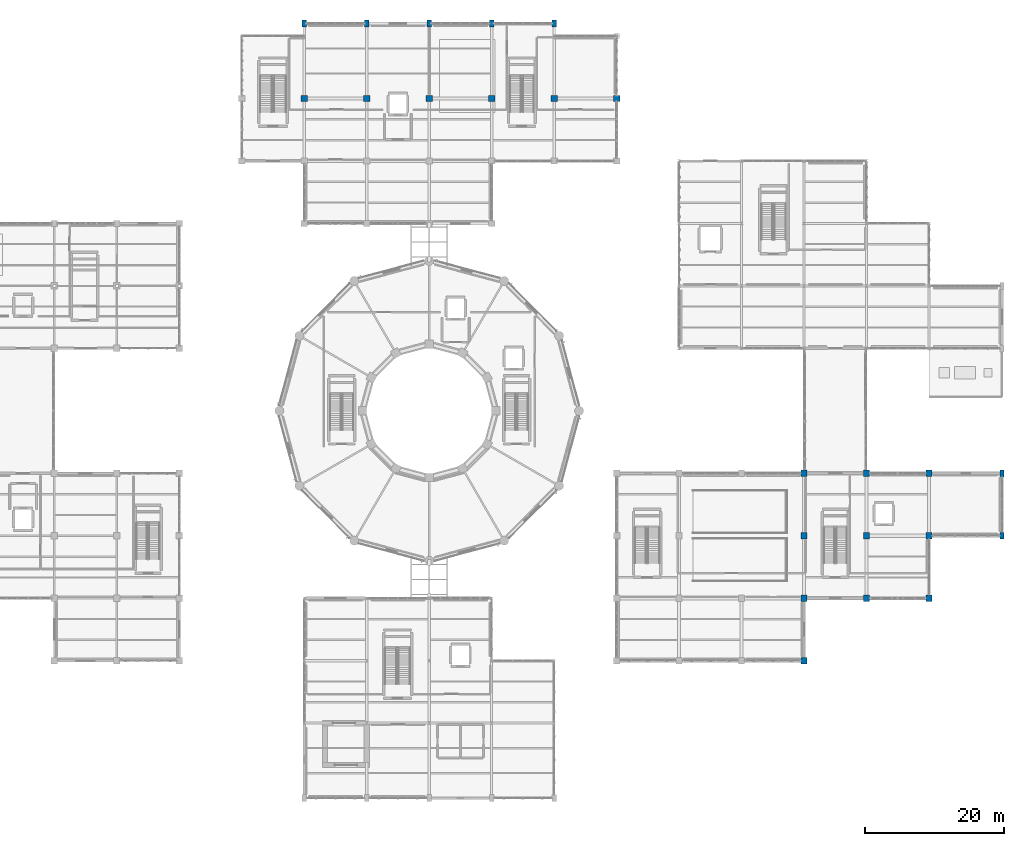
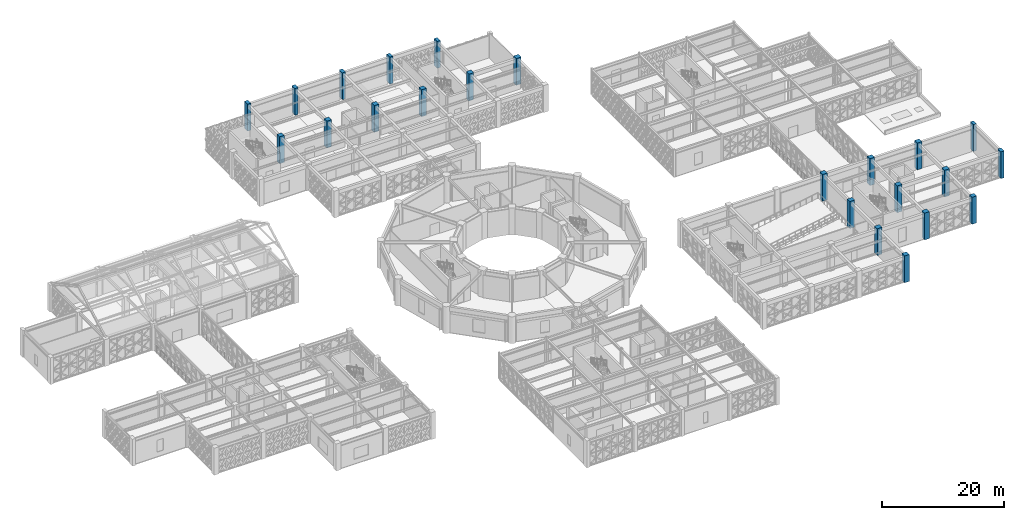
# One storey, part 5 of 166: 23 columns.
"""IFC4 building model written with IfcOpenShell, lengths in metres."""

from ifc_helpers import new_model, si_unit, direction, frame, origin, origin_2d, place, context, subcontext, project, spatial, rectangle, extrude, material, material_profile, profile_set, type_object, element, save


model = new_model("IFC4")

# Units and contexts
model_context = context("Model", 3, precision=1e-05, world=origin(), true_north=direction((0.0, 1.0)))
body_context = subcontext(model_context, "Body", "Model", "MODEL_VIEW")
ifc_project = project(units=[si_unit("LENGTHUNIT", "METRE"), si_unit("AREAUNIT", "SQUARE_METRE"), si_unit("VOLUMEUNIT", "CUBIC_METRE"), si_unit("PLANEANGLEUNIT", "RADIAN"), si_unit("MASSUNIT", "GRAM", prefix="KILO")], contexts=[model_context])

# Site, building, storey
site_placement = place(None, origin())
site = spatial("IfcSite", under=ifc_project, at=site_placement, CompositionType="ELEMENT")
building_placement = place(site_placement, origin())
building = spatial("IfcBuilding", under=site, at=building_placement, Name="Haizhuo Lancet Aquarium", CompositionType="ELEMENT")
storey_placement = place(building_placement, frame((0.0, 0.0, 5.39990234375)))
storey = spatial("IfcBuildingStorey", under=building, at=storey_placement, Name="L01", CompositionType="ELEMENT", Elevation=5.39990234375)

# Columns
ifc_material_1 = material(Name="Concrete C40/50", Category="concrete")
ifc_material_profile_1 = material_profile(ifc_material_1, rectangle(XDim=0.89990234375, YDim=0.89990234375, at=origin_2d()), Name="RC-COL 900x900")
ifc_profile_set_1 = profile_set([ifc_material_profile_1], Name="Concrete C40/50")
column_type_1 = type_object("IfcColumnType", Name="COL-RC-900", PredefinedType="COLUMN", material=ifc_profile_set_1)
for number, where, z_axis, x_axis, name in (
    (1, (54.0, -36.0, 0.0), (0.0, 0.0, 1.0), (1.0, 0.0, 0.0), "L01 column V3-COL-054"),
    (2, (54.0, -27.0, 0.0), (0.0, 0.0, 1.0), (1.0, 0.0, 0.0), "L01 column V3-COL-055"),
    (3, (54.0, -18.0, 0.0), (0.0, 0.0, 1.0), (1.0, 0.0, 0.0), "L01 column V3-COL-056"),
    (4, (54.0, -9.0, 0.0), (0.0, 0.0, 1.0), (1.0, 0.0, 0.0), "L01 column V3-COL-057"),
    (5, (63.0, -27.0, 0.0), (0.0, 0.0, 1.0), (1.0, 0.0, 0.0), "L01 column V3-COL-058"),
    (6, (63.0, -18.0, 0.0), (0.0, 0.0, 1.0), (1.0, 0.0, 0.0), "L01 column V3-COL-059"),
    (7, (63.0, -9.0, 0.0), (0.0, 0.0, 1.0), (1.0, 0.0, 0.0), "L01 column V3-COL-060"),
    (8, (72.0, -27.0, 0.0), (0.0, 0.0, 1.0), (1.0, 0.0, 0.0), "L01 column V3-COL-061"),
    (9, (72.0, -18.0, 0.0), (0.0, 0.0, 1.0), (1.0, 0.0, 0.0), "L01 column V3-COL-062"),
    (10, (72.0, -9.0, 0.0), (0.0, 0.0, 1.0), (1.0, 0.0, 0.0), "L01 column V3-COL-063"),
    (11, (-18.0, 45.0, 0.0), (0.0, 0.0, 1.0), (1.0, 0.0, 0.0), "L01 column V5-COL-089"),
    (12, (-9.0, 45.0, 0.0), (0.0, 0.0, 1.0), (1.0, 0.0, 0.0), "L01 column V5-COL-093"),
    (13, (0.0, 45.0, 0.0), (0.0, 0.0, 1.0), (1.0, 0.0, 0.0), "L01 column V5-COL-097"),
    (14, (9.0, 45.0, 0.0), (0.0, 0.0, 1.0), (1.0, 0.0, 0.0), "L01 column V5-COL-101"),
    (15, (18.0, 45.0, 0.0), (0.0, 0.0, 1.0), (1.0, 0.0, 0.0), "L01 column V5-COL-104"),
    (16, (27.0, 45.0, 0.0), (0.0, 0.0, 1.0), (1.0, 0.0, 0.0), "L01 column V5-COL-107"),
):
    element("IfcColumn", number, at=place(storey_placement, frame(where, z_axis=z_axis, x_axis=x_axis)), inside=storey, type_object=column_type_1, Name=name, PredefinedType="COLUMN", context=body_context, shape_type="SweptSolid", body=[
        extrude(rectangle(XDim=0.89990234375, YDim=0.89990234375, at=origin_2d()), origin(), (0.0, 0.0, 1.0), 5.400146484375),
    ])
ifc_material_2 = material(Name="Concrete C45/55", Category="concrete")
ifc_material_profile_2 = material_profile(ifc_material_2, rectangle(XDim=0.60009765625, YDim=1.0, at=origin_2d()), Name="RC-PIL 600x1000")
ifc_profile_set_2 = profile_set([ifc_material_profile_2], Name="Concrete C45/55")
column_type_2 = type_object("IfcColumnType", Name="PIL-RC-600x1000", PredefinedType="PILASTER", material=ifc_profile_set_2)
for number, where, z_axis, x_axis, name in (
    (17, (82.5, -18.0, 0.0), (0.0, 0.0, 1.0), (1.0, 0.0, 0.0), "L01 column V3-COL-064"),
    (18, (82.5, -9.0, 0.0), (0.0, 0.0, 1.0), (1.0, 0.0, 0.0), "L01 column V3-COL-065"),
    (19, (-18.0, 55.800048828125, 0.0), (0.0, 0.0, 1.0), (1.0, 0.0, 0.0), "L01 column V5-COL-090"),
    (20, (-9.0, 55.800048828125, 0.0), (0.0, 0.0, 1.0), (1.0, 0.0, 0.0), "L01 column V5-COL-094"),
    (21, (0.0, 55.800048828125, 0.0), (0.0, 0.0, 1.0), (1.0, 0.0, 0.0), "L01 column V5-COL-098"),
    (22, (9.0, 55.800048828125, 0.0), (0.0, 0.0, 1.0), (1.0, 0.0, 0.0), "L01 column V5-COL-102"),
    (23, (18.0, 55.800048828125, 0.0), (0.0, 0.0, 1.0), (1.0, 0.0, 0.0), "L01 column V5-COL-105"),
):
    element("IfcColumn", number, at=place(storey_placement, frame(where, z_axis=z_axis, x_axis=x_axis)), inside=storey, type_object=column_type_2, Name=name, PredefinedType="PILASTER", context=body_context, shape_type="SweptSolid", body=[
        extrude(rectangle(XDim=0.60009765625, YDim=1.0, at=origin_2d()), origin(), (0.0, 0.0, 1.0), 5.400146484375),
    ])

save(model, "model.ifc")
